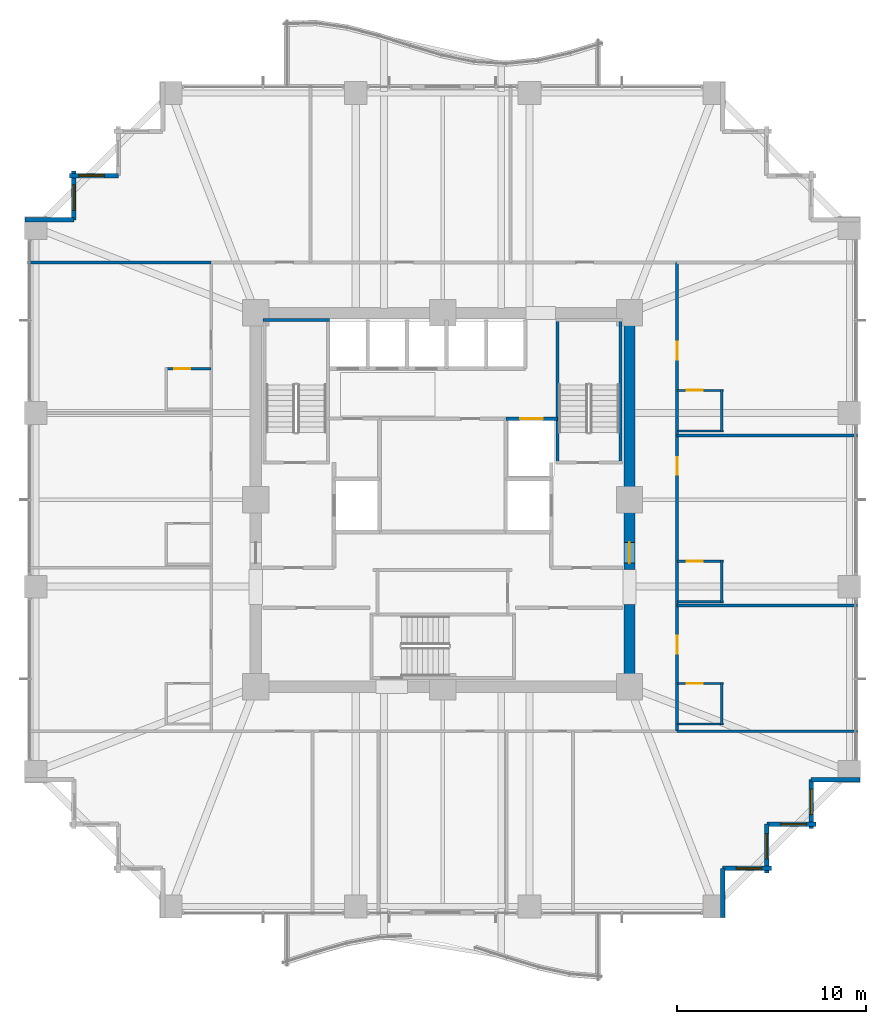
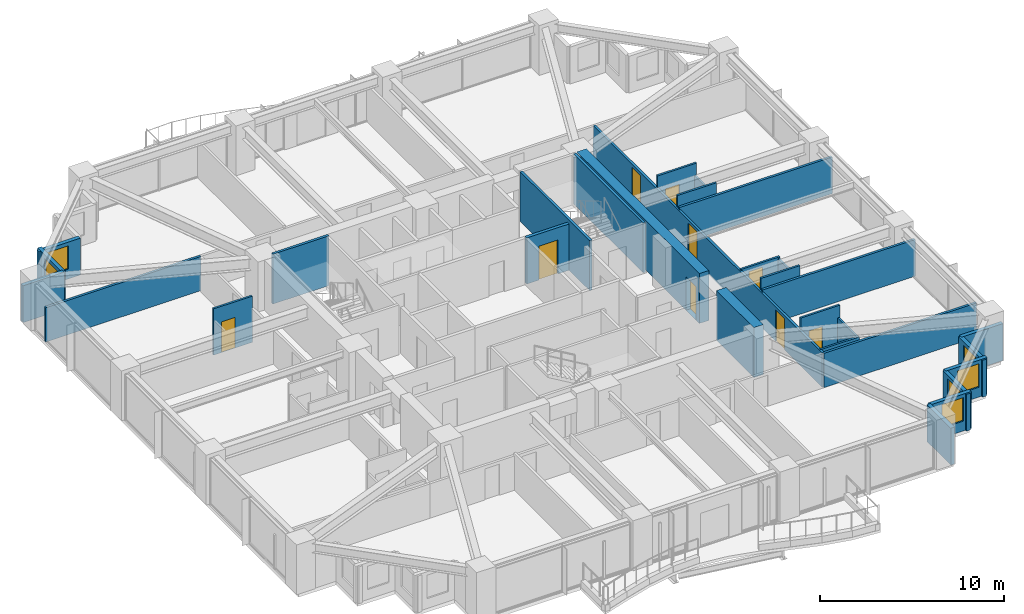
# One storey, part 34 of 38: 30 walls, 9 doors, 6 windows, 15 openings.
"""IFC4 building model written with IfcOpenShell, lengths in metres."""

from ifc_helpers import new_model, si_unit, direction, frame, frame_2d, origin, place, context, subcontext, project, spatial, rectangle, extrude, material, layer, layer_set, type_object, element, fill, save


model = new_model("IFC4")

# Units and contexts
model_context = context("Model", 3, precision=1e-05, world=origin(), true_north=direction((0.0, 1.0)))
body_context = subcontext(model_context, "Body", "Model", "MODEL_VIEW")
ifc_project = project(units=[si_unit("LENGTHUNIT", "METRE"), si_unit("AREAUNIT", "SQUARE_METRE"), si_unit("VOLUMEUNIT", "CUBIC_METRE"), si_unit("PLANEANGLEUNIT", "RADIAN"), si_unit("MASSUNIT", "GRAM", prefix="KILO")], contexts=[model_context])

# Site, building, storey
site_placement = place(None, origin())
site = spatial("IfcSite", under=ifc_project, at=site_placement, CompositionType="ELEMENT")
building_placement = place(site_placement, origin())
building = spatial("IfcBuilding", under=site, at=building_placement, Name="Kolvaren Belvedere", CompositionType="ELEMENT")
storey_placement = place(building_placement, frame((0.0, 0.0, 30.39990234375)))
storey = spatial("IfcBuildingStorey", under=building, at=storey_placement, Name="L08", CompositionType="ELEMENT", Elevation=30.39990234375)

# Wall
ifc_material_1 = material(Name="Concrete C60/75", Category="concrete")
ifc_layer_1 = layer(ifc_material_1, 0.60009765625)
ifc_layer_set_1 = layer_set([ifc_layer_1], Name="Concrete C60/75")
wall_type_1 = type_object("IfcWallType", Name="CW-CORE-600", PredefinedType="SHEAR", material=ifc_layer_set_1)
wall_1_placement = place(storey_placement, frame((9.89990234375, -9.60009765625, 0.0), z_axis=(0.0, 0.0, 1.0), x_axis=(0.0, 1.0, 0.0)))
element("IfcWall", 1, at=wall_1_placement, inside=storey, type_object=wall_type_1, Name="L08 East Core Shear Wall 1", PredefinedType="SHEAR", context=body_context, shape_type="SweptSolid", body=[
    extrude(rectangle(XDim=4.050048828125, YDim=0.60009765625, at=frame_2d((2.02490234375, 0.0))), origin(), (0.0, 0.0, 1.0), 3.300048828125),
])

# Wall, opening, door
wall_2_placement = place(storey_placement, frame((9.89990234375, -3.699951171875, 0.0), z_axis=(0.0, 0.0, 1.0), x_axis=(0.0, 1.0, 0.0)))
wall_2 = element("IfcWall", 2, at=wall_2_placement, inside=storey, type_object=wall_type_1, Name="L08 East Core Shear Wall 2", PredefinedType="SHEAR", context=body_context, shape_type="SweptSolid", body=[
    extrude(rectangle(XDim=13.300048828125, YDim=0.60009765625, at=frame_2d((6.64990234375, 0.0))), origin(), (0.0, 0.0, 1.0), 3.300048828125),
])
opening_1_placement = place(wall_2_placement, frame((0.35009765625, 0.0, 0.0)))
opening_1 = element("IfcOpeningElement", 3, at=opening_1_placement, cuts=wall_2, Name="Opening D-FD90", PredefinedType="OPENING", context=body_context, shape_type="SweptSolid", body=[
    extrude(rectangle(XDim=1.10009765625, YDim=2.199951171875, at=frame_2d((0.550048828125, 1.10009765625))), frame((0.0, 0.31005859375, 0.0), z_axis=(0.0, -1.0, 0.0), x_axis=(1.0, 0.0, 0.0)), (0.0, 0.0, 1.0), 0.6201171875),
])
ifc_material_2 = material(Name="Painted hollow stainless steel", Category="steel")
door_type_1 = type_object("IfcDoorType", Name="DR-FD90-1100", OperationType="NOTDEFINED", PredefinedType="DOOR", material=ifc_material_2)
door_1_placement = place(opening_1_placement, origin())
door_1 = element("IfcDoor", 4, at=door_1_placement, inside=storey, type_object=door_type_1, Name="L08 East Firefighting Lobby Fire Door", OperationType="SINGLE_SWING_RIGHT", OverallHeight=2.199951171875, OverallWidth=1.10009765625, PredefinedType="DOOR", context=body_context, shape_type="SweptSolid", body=[
    extrude(rectangle(XDim=1.10009765625, YDim=2.199951171875, at=frame_2d((0.550048828125, 1.10009765625))), frame((0.0, 0.02490234375, 0.0), z_axis=(0.0, -1.0, 0.0), x_axis=(1.0, 0.0, 0.0)), (0.0, 0.0, 1.0), 0.050048828125),
])
fill(opening_1, door_1)

# Walls
ifc_material_3 = material(Name="Concrete C50/60", Category="concrete")
ifc_layer_2 = layer(ifc_material_3, 0.159912109375)
ifc_layer_set_2 = layer_set([ifc_layer_2], Name="Concrete C50/60")
wall_type_2 = type_object("IfcWallType", Name="CW-STAIR-160", PredefinedType="SHEAR", material=ifc_layer_set_2)
wall_3_placement = place(storey_placement, frame((-9.52001953125, 9.530029296875, 0.0), z_axis=(0.0, 0.0, 1.0), x_axis=(1.0, 0.0, 0.0)))
element("IfcWall", 5, at=wall_3_placement, inside=storey, type_object=wall_type_2, Name="L08 Stair ST-1 North Shear Wall", PredefinedType="SHEAR", context=body_context, shape_type="SweptSolid", body=[
    extrude(rectangle(XDim=3.52001953125, YDim=0.159912109375, at=frame_2d((1.760009765625, 0.0))), origin(), (0.0, 0.0, 1.0), 3.300048828125),
])
for number, where, z_axis, x_axis, name in (
    (6, (6.080078125, 1.969970703125, 0.0), (0.0, 0.0, 1.0), (0.0, 1.0, 0.0), "L08 Stair ST-2 West Shear Wall"),
    (7, (9.429931640625, 1.969970703125, 0.0), (0.0, 0.0, 1.0), (0.0, 1.0, 0.0), "L08 Stair ST-2 East Shear Wall"),
):
    element("IfcWall", number, at=place(storey_placement, frame(where, z_axis=z_axis, x_axis=x_axis)), inside=storey, type_object=wall_type_2, Name=name, PredefinedType="SHEAR", context=body_context, shape_type="SweptSolid", body=[
        extrude(rectangle(XDim=7.56005859375, YDim=0.159912109375, at=frame_2d((3.780029296875, 0.0))), origin(), (0.0, 0.0, 1.0), 3.300048828125),
    ])

# Wall, openings, doors
ifc_material_4 = material(Name="Gypsum fire-rated partition assembly", Category="gypsum")
ifc_layer_3 = layer(ifc_material_4, 0.14990234375)
ifc_layer_set_3 = layer_set([ifc_layer_3], Name="Gypsum fire-rated partition assembly")
wall_type_3 = type_object("IfcWallType", Name="WL-CORR-150", PredefinedType="PARTITIONING", material=ifc_layer_set_3)
wall_4_placement = place(storey_placement, frame((12.419921875, -12.260009765625, 0.0), z_axis=(0.0, 0.0, 1.0), x_axis=(0.0, 1.0, 0.0)))
wall_4 = element("IfcWall", 8, at=wall_4_placement, inside=storey, type_object=wall_type_3, Name="L08 East Corridor Wall", PredefinedType="PARTITIONING", context=body_context, shape_type="SweptSolid", body=[
    extrude(rectangle(XDim=24.840087890625, YDim=0.14990234375, at=frame_2d((12.419921875, 0.0))), origin(), (0.0, 0.0, 1.0), 2.272216796875),
])
opening_2_placement = place(wall_4_placement, frame((4.098876953125, 0.0, 0.0)))
opening_2 = element("IfcOpeningElement", 9, at=opening_2_placement, cuts=wall_4, Name="Opening D-FD60", PredefinedType="OPENING", context=body_context, shape_type="SweptSolid", body=[
    extrude(rectangle(XDim=0.949951171875, YDim=2.06005859375, at=frame_2d((0.47509765625, 1.030029296875))), frame((0.0, 0.0849609375, 0.0), z_axis=(0.0, -1.0, 0.0), x_axis=(1.0, 0.0, 0.0)), (0.0, 0.0, 1.0), 0.169921875),
])
opening_3_placement = place(wall_4_placement, frame((13.576904296875, 0.0, 0.0)))
opening_3 = element("IfcOpeningElement", 10, at=opening_3_placement, cuts=wall_4, Name="Opening D-FD60", PredefinedType="OPENING", context=body_context, shape_type="SweptSolid", body=[
    extrude(rectangle(XDim=0.949951171875, YDim=2.06005859375, at=frame_2d((0.47509765625, 1.030029296875))), frame((0.0, 0.0849609375, 0.0), z_axis=(0.0, -1.0, 0.0), x_axis=(1.0, 0.0, 0.0)), (0.0, 0.0, 1.0), 0.169921875),
])
opening_4_placement = place(wall_4_placement, frame((19.69189453125, 0.0, 0.0)))
opening_4 = element("IfcOpeningElement", 11, at=opening_4_placement, cuts=wall_4, Name="Opening D-FD60", PredefinedType="OPENING", context=body_context, shape_type="SweptSolid", body=[
    extrude(rectangle(XDim=0.949951171875, YDim=2.06005859375, at=frame_2d((0.47509765625, 1.030029296875))), frame((0.0, 0.0849609375, 0.0), z_axis=(0.0, -1.0, 0.0), x_axis=(1.0, 0.0, 0.0)), (0.0, 0.0, 1.0), 0.169921875),
])
ifc_material_5 = material(Name="Acoustic white-oak fire door leaf", Category="timber")
door_type_2 = type_object("IfcDoorType", Name="DR-FD60-950", OperationType="NOTDEFINED", PredefinedType="DOOR", material=ifc_material_5)
door_2_placement = place(opening_2_placement, origin())
door_2 = element("IfcDoor", 12, at=door_2_placement, inside=storey, type_object=door_type_2, Name="L08 Panoramic Corner Hospitality Suite 806 Entry Door", OperationType="SINGLE_SWING_LEFT", OverallHeight=2.06005859375, OverallWidth=0.949951171875, PredefinedType="DOOR", context=body_context, shape_type="SweptSolid", body=[
    extrude(rectangle(XDim=0.949951171875, YDim=2.06005859375, at=frame_2d((0.47509765625, 1.030029296875))), frame((0.0, 0.02490234375, 0.0), z_axis=(0.0, -1.0, 0.0), x_axis=(1.0, 0.0, 0.0)), (0.0, 0.0, 1.0), 0.050048828125),
])
fill(opening_2, door_2)
door_3_placement = place(opening_3_placement, origin())
door_3 = element("IfcDoor", 13, at=door_3_placement, inside=storey, type_object=door_type_2, Name="L08 Panoramic Corner Hospitality Suite 807 Entry Door", OperationType="SINGLE_SWING_LEFT", OverallHeight=2.06005859375, OverallWidth=0.949951171875, PredefinedType="DOOR", context=body_context, shape_type="SweptSolid", body=[
    extrude(rectangle(XDim=0.949951171875, YDim=2.06005859375, at=frame_2d((0.47509765625, 1.030029296875))), frame((0.0, 0.02490234375, 0.0), z_axis=(0.0, -1.0, 0.0), x_axis=(1.0, 0.0, 0.0)), (0.0, 0.0, 1.0), 0.050048828125),
])
fill(opening_3, door_3)
door_4_placement = place(opening_4_placement, origin())
door_4 = element("IfcDoor", 14, at=door_4_placement, inside=storey, type_object=door_type_2, Name="L08 Panoramic Corner Hospitality Suite 808 Entry Door", OperationType="SINGLE_SWING_LEFT", OverallHeight=2.06005859375, OverallWidth=0.949951171875, PredefinedType="DOOR", context=body_context, shape_type="SweptSolid", body=[
    extrude(rectangle(XDim=0.949951171875, YDim=2.06005859375, at=frame_2d((0.47509765625, 1.030029296875))), frame((0.0, 0.02490234375, 0.0), z_axis=(0.0, -1.0, 0.0), x_axis=(1.0, 0.0, 0.0)), (0.0, 0.0, 1.0), 0.050048828125),
])
fill(opening_4, door_4)

# Wall
ifc_material_6 = material(Name="Insulated pale-metal facade wall assembly", Category="aluminium")
ifc_layer_4 = layer(ifc_material_6, 0.239990234375)
ifc_layer_set_4 = layer_set([ifc_layer_4], Name="Insulated pale-metal facade wall assembly")
wall_type_4 = type_object("IfcWallType", Name="WL-EXT-240", PredefinedType="STANDARD", material=ifc_layer_set_4)
wall_5_placement = place(storey_placement, frame((14.830078125, -19.530029296875, 0.0), z_axis=(0.0, 0.0, 1.0), x_axis=(0.0, -1.0, 0.0)))
element("IfcWall", 15, at=wall_5_placement, inside=storey, type_object=wall_type_4, Name="L08 Serrated Corner Facade Wall 2", PredefinedType="STANDARD", context=body_context, shape_type="SweptSolid", body=[
    extrude(rectangle(XDim=2.590087890625, YDim=0.239990234375, at=frame_2d((1.294921875, 0.0))), origin(), (0.0, 0.0, 1.0), 2.439208984375),
])

# Wall, opening, window
wall_6_placement = place(storey_placement, frame((17.419921875, -19.530029296875, 0.0), z_axis=(0.0, 0.0, 1.0), x_axis=(-1.0, 0.0, 0.0)))
wall_6 = element("IfcWall", 16, at=wall_6_placement, inside=storey, type_object=wall_type_4, Name="L08 Serrated Corner Facade Wall 3", PredefinedType="STANDARD", context=body_context, shape_type="SweptSolid", body=[
    extrude(rectangle(XDim=2.58984375, YDim=0.239990234375, at=frame_2d((1.294921875, 0.0))), origin(), (0.0, 0.0, 1.0), 2.439208984375),
])
opening_5_placement = place(wall_6_placement, frame((0.5, 0.0, 0.64990234375)))
opening_5 = element("IfcOpeningElement", 17, at=opening_5_placement, cuts=wall_6, Name="Opening W-1350", PredefinedType="OPENING", context=body_context, shape_type="SweptSolid", body=[
    extrude(rectangle(XDim=1.35009765625, YDim=1.550048828125, at=frame_2d((0.675048828125, 0.77490234375))), frame((0.0, 0.1298828125, 0.0), z_axis=(0.0, -1.0, 0.0), x_axis=(1.0, 0.0, 0.0)), (0.0, 0.0, 1.0), 0.260009765625),
])
ifc_material_7 = material(Name="Low-iron triple insulated glass", Category="glass")
window_type = type_object("IfcWindowType", Name="WN-CORN-1350", PartitioningType="SINGLE_PANEL", PredefinedType="WINDOW", material=ifc_material_7)
window_1_placement = place(opening_5_placement, origin())
window_1 = element("IfcWindow", 18, at=window_1_placement, inside=storey, type_object=window_type, Name="L08 Serrated Corner Vision Window 3", OverallHeight=1.550048828125, OverallWidth=1.35009765625, PartitioningType="SINGLE_PANEL", PredefinedType="WINDOW", context=body_context, shape_type="SweptSolid", body=[
    extrude(rectangle(XDim=1.35009765625, YDim=1.550048828125, at=frame_2d((0.675048828125, 0.77490234375))), frame((0.0, 0.030029296875, 0.0), z_axis=(0.0, -1.0, 0.0), x_axis=(1.0, 0.0, 0.0)), (0.0, 0.0, 1.0), 0.06005859375),
])
fill(opening_5, window_1)

wall_7_placement = place(storey_placement, frame((17.179931640625, -17.179931640625, 0.0), z_axis=(0.0, 0.0, 1.0), x_axis=(0.0, -1.0, 0.0)))
wall_7 = element("IfcWall", 19, at=wall_7_placement, inside=storey, type_object=wall_type_4, Name="L08 Serrated Corner Facade Wall 4", PredefinedType="STANDARD", context=body_context, shape_type="SweptSolid", body=[
    extrude(rectangle(XDim=2.590087890625, YDim=0.239990234375, at=frame_2d((1.294921875, 0.0))), origin(), (0.0, 0.0, 1.0), 2.439208984375),
])
opening_6_placement = place(wall_7_placement, frame((0.5, 0.0, 0.64990234375)))
opening_6 = element("IfcOpeningElement", 20, at=opening_6_placement, cuts=wall_7, Name="Opening W-1350", PredefinedType="OPENING", context=body_context, shape_type="SweptSolid", body=[
    extrude(rectangle(XDim=1.35009765625, YDim=1.550048828125, at=frame_2d((0.675048828125, 0.77490234375))), frame((0.0, 0.1298828125, 0.0), z_axis=(0.0, -1.0, 0.0), x_axis=(1.0, 0.0, 0.0)), (0.0, 0.0, 1.0), 0.260009765625),
])
window_2_placement = place(opening_6_placement, origin())
window_2 = element("IfcWindow", 21, at=window_2_placement, inside=storey, type_object=window_type, Name="L08 Serrated Corner Vision Window 4", OverallHeight=1.550048828125, OverallWidth=1.35009765625, PartitioningType="SINGLE_PANEL", PredefinedType="WINDOW", context=body_context, shape_type="SweptSolid", body=[
    extrude(rectangle(XDim=1.35009765625, YDim=1.550048828125, at=frame_2d((0.675048828125, 0.77490234375))), frame((0.0, 0.030029296875, 0.0), z_axis=(0.0, -1.0, 0.0), x_axis=(1.0, 0.0, 0.0)), (0.0, 0.0, 1.0), 0.06005859375),
])
fill(opening_6, window_2)

wall_8_placement = place(storey_placement, frame((19.77001953125, -17.179931640625, 0.0), z_axis=(0.0, 0.0, 1.0), x_axis=(-1.0, 0.0, 0.0)))
wall_8 = element("IfcWall", 22, at=wall_8_placement, inside=storey, type_object=wall_type_4, Name="L08 Serrated Corner Facade Wall 5", PredefinedType="STANDARD", context=body_context, shape_type="SweptSolid", body=[
    extrude(rectangle(XDim=2.590087890625, YDim=0.239990234375, at=frame_2d((1.294921875, 0.0))), origin(), (0.0, 0.0, 1.0), 2.439208984375),
])
opening_7_placement = place(wall_8_placement, frame((0.5, 0.0, 0.64990234375)))
opening_7 = element("IfcOpeningElement", 23, at=opening_7_placement, cuts=wall_8, Name="Opening W-1350", PredefinedType="OPENING", context=body_context, shape_type="SweptSolid", body=[
    extrude(rectangle(XDim=1.35009765625, YDim=1.550048828125, at=frame_2d((0.675048828125, 0.77490234375))), frame((0.0, 0.1298828125, 0.0), z_axis=(0.0, -1.0, 0.0), x_axis=(1.0, 0.0, 0.0)), (0.0, 0.0, 1.0), 0.260009765625),
])
window_3_placement = place(opening_7_placement, origin())
window_3 = element("IfcWindow", 24, at=window_3_placement, inside=storey, type_object=window_type, Name="L08 Serrated Corner Vision Window 5", OverallHeight=1.550048828125, OverallWidth=1.35009765625, PartitioningType="SINGLE_PANEL", PredefinedType="WINDOW", context=body_context, shape_type="SweptSolid", body=[
    extrude(rectangle(XDim=1.35009765625, YDim=1.550048828125, at=frame_2d((0.675048828125, 0.77490234375))), frame((0.0, 0.030029296875, 0.0), z_axis=(0.0, -1.0, 0.0), x_axis=(1.0, 0.0, 0.0)), (0.0, 0.0, 1.0), 0.06005859375),
])
fill(opening_7, window_3)

wall_9_placement = place(storey_placement, frame((19.530029296875, -14.830078125, 0.0), z_axis=(0.0, 0.0, 1.0), x_axis=(0.0, -1.0, 0.0)))
wall_9 = element("IfcWall", 25, at=wall_9_placement, inside=storey, type_object=wall_type_4, Name="L08 Serrated Corner Facade Wall 6", PredefinedType="STANDARD", context=body_context, shape_type="SweptSolid", body=[
    extrude(rectangle(XDim=2.58984375, YDim=0.239990234375, at=frame_2d((1.294921875, 0.0))), origin(), (0.0, 0.0, 1.0), 2.439208984375),
])
opening_8_placement = place(wall_9_placement, frame((0.5, 0.0, 0.64990234375)))
opening_8 = element("IfcOpeningElement", 26, at=opening_8_placement, cuts=wall_9, Name="Opening W-1350", PredefinedType="OPENING", context=body_context, shape_type="SweptSolid", body=[
    extrude(rectangle(XDim=1.35009765625, YDim=1.550048828125, at=frame_2d((0.675048828125, 0.77490234375))), frame((0.0, 0.1298828125, 0.0), z_axis=(0.0, -1.0, 0.0), x_axis=(1.0, 0.0, 0.0)), (0.0, 0.0, 1.0), 0.260009765625),
])
window_4_placement = place(opening_8_placement, origin())
window_4 = element("IfcWindow", 27, at=window_4_placement, inside=storey, type_object=window_type, Name="L08 Serrated Corner Vision Window 6", OverallHeight=1.550048828125, OverallWidth=1.35009765625, PartitioningType="SINGLE_PANEL", PredefinedType="WINDOW", context=body_context, shape_type="SweptSolid", body=[
    extrude(rectangle(XDim=1.35009765625, YDim=1.550048828125, at=frame_2d((0.675048828125, 0.77490234375))), frame((0.0, 0.030029296875, 0.0), z_axis=(0.0, -1.0, 0.0), x_axis=(1.0, 0.0, 0.0)), (0.0, 0.0, 1.0), 0.06005859375),
])
fill(opening_8, window_4)

# Wall
wall_10_placement = place(storey_placement, frame((22.1201171875, -14.830078125, 0.0), z_axis=(0.0, 0.0, 1.0), x_axis=(-1.0, 0.0, 0.0)))
element("IfcWall", 28, at=wall_10_placement, inside=storey, type_object=wall_type_4, Name="L08 Serrated Corner Facade Wall 7", PredefinedType="STANDARD", context=body_context, shape_type="SweptSolid", body=[
    extrude(rectangle(XDim=2.590087890625, YDim=0.239990234375, at=frame_2d((1.294921875, 0.0))), origin(), (0.0, 0.0, 1.0), 2.439208984375),
])

# Wall, opening, window
wall_11_placement = place(storey_placement, frame((-19.77001953125, 17.179931640625, 0.0), z_axis=(0.0, 0.0, 1.0), x_axis=(1.0, 0.0, 0.0)))
wall_11 = element("IfcWall", 29, at=wall_11_placement, inside=storey, type_object=wall_type_4, Name="L08 Serrated Corner Facade Wall 19", PredefinedType="STANDARD", context=body_context, shape_type="SweptSolid", body=[
    extrude(rectangle(XDim=2.590087890625, YDim=0.239990234375, at=frame_2d((1.294921875, 0.0))), origin(), (0.0, 0.0, 1.0), 2.439208984375),
])
opening_9_placement = place(wall_11_placement, frame((0.5, 0.0, 0.64990234375)))
opening_9 = element("IfcOpeningElement", 30, at=opening_9_placement, cuts=wall_11, Name="Opening W-1350", PredefinedType="OPENING", context=body_context, shape_type="SweptSolid", body=[
    extrude(rectangle(XDim=1.35009765625, YDim=1.550048828125, at=frame_2d((0.675048828125, 0.77490234375))), frame((0.0, 0.1298828125, 0.0), z_axis=(0.0, -1.0, 0.0), x_axis=(1.0, 0.0, 0.0)), (0.0, 0.0, 1.0), 0.260009765625),
])
window_5_placement = place(opening_9_placement, origin())
window_5 = element("IfcWindow", 31, at=window_5_placement, inside=storey, type_object=window_type, Name="L08 Serrated Corner Vision Window 19", OverallHeight=1.550048828125, OverallWidth=1.35009765625, PartitioningType="SINGLE_PANEL", PredefinedType="WINDOW", context=body_context, shape_type="SweptSolid", body=[
    extrude(rectangle(XDim=1.35009765625, YDim=1.550048828125, at=frame_2d((0.675048828125, 0.77490234375))), frame((0.0, 0.030029296875, 0.0), z_axis=(0.0, -1.0, 0.0), x_axis=(1.0, 0.0, 0.0)), (0.0, 0.0, 1.0), 0.06005859375),
])
fill(opening_9, window_5)

wall_12_placement = place(storey_placement, frame((-19.530029296875, 14.830078125, 0.0), z_axis=(0.0, 0.0, 1.0), x_axis=(0.0, 1.0, 0.0)))
wall_12 = element("IfcWall", 32, at=wall_12_placement, inside=storey, type_object=wall_type_4, Name="L08 Serrated Corner Facade Wall 20", PredefinedType="STANDARD", context=body_context, shape_type="SweptSolid", body=[
    extrude(rectangle(XDim=2.58984375, YDim=0.239990234375, at=frame_2d((1.294921875, 0.0))), origin(), (0.0, 0.0, 1.0), 2.439208984375),
])
opening_10_placement = place(wall_12_placement, frame((0.5, 0.0, 0.64990234375)))
opening_10 = element("IfcOpeningElement", 33, at=opening_10_placement, cuts=wall_12, Name="Opening W-1350", PredefinedType="OPENING", context=body_context, shape_type="SweptSolid", body=[
    extrude(rectangle(XDim=1.35009765625, YDim=1.550048828125, at=frame_2d((0.675048828125, 0.77490234375))), frame((0.0, 0.1298828125, 0.0), z_axis=(0.0, -1.0, 0.0), x_axis=(1.0, 0.0, 0.0)), (0.0, 0.0, 1.0), 0.260009765625),
])
window_6_placement = place(opening_10_placement, origin())
window_6 = element("IfcWindow", 34, at=window_6_placement, inside=storey, type_object=window_type, Name="L08 Serrated Corner Vision Window 20", OverallHeight=1.550048828125, OverallWidth=1.35009765625, PartitioningType="SINGLE_PANEL", PredefinedType="WINDOW", context=body_context, shape_type="SweptSolid", body=[
    extrude(rectangle(XDim=1.35009765625, YDim=1.550048828125, at=frame_2d((0.675048828125, 0.77490234375))), frame((0.0, 0.030029296875, 0.0), z_axis=(0.0, -1.0, 0.0), x_axis=(1.0, 0.0, 0.0)), (0.0, 0.0, 1.0), 0.06005859375),
])
fill(opening_10, window_6)

# Walls
wall_13_placement = place(storey_placement, frame((-22.1201171875, 14.830078125, 0.0), z_axis=(0.0, 0.0, 1.0), x_axis=(1.0, 0.0, 0.0)))
element("IfcWall", 35, at=wall_13_placement, inside=storey, type_object=wall_type_4, Name="L08 Serrated Corner Facade Wall 21", PredefinedType="STANDARD", context=body_context, shape_type="SweptSolid", body=[
    extrude(rectangle(XDim=2.590087890625, YDim=0.239990234375, at=frame_2d((1.294921875, 0.0))), origin(), (0.0, 0.0, 1.0), 2.439208984375),
])
ifc_material_8 = material(Name="Gypsum acoustic partition assembly", Category="gypsum")
ifc_layer_5 = layer(ifc_material_8, 0.14990234375)
ifc_layer_set_5 = layer_set([ifc_layer_5], Name="Gypsum acoustic partition assembly")
wall_type_5 = type_object("IfcWallType", Name="WL-PART-150", PredefinedType="PARTITIONING", material=ifc_layer_set_5)
wall_14_placement = place(storey_placement, frame((12.419921875, -12.260009765625, 0.0), z_axis=(0.0, 0.0, 1.0), x_axis=(1.0, 0.0, 0.0)))
element("IfcWall", 36, at=wall_14_placement, inside=storey, type_object=wall_type_5, Name="L08 Wing Divider PW-L08-QSE", PredefinedType="PARTITIONING", context=body_context, shape_type="SweptSolid", body=[
    extrude(rectangle(XDim=9.56005859375, YDim=0.14990234375, at=frame_2d((4.780029296875, 0.0))), origin(), (0.0, 0.0, 1.0), 2.272216796875),
])
wall_15_placement = place(storey_placement, frame((-21.97998046875, 12.580078125, 0.0), z_axis=(0.0, 0.0, 1.0), x_axis=(1.0, 0.0, 0.0)))
element("IfcWall", 37, at=wall_15_placement, inside=storey, type_object=wall_type_5, Name="L08 Wing Divider PW-L08-QNW", PredefinedType="PARTITIONING", context=body_context, shape_type="SweptSolid", body=[
    extrude(rectangle(XDim=9.719970703125, YDim=0.14990234375, at=frame_2d((4.85986328125, 0.0))), origin(), (0.0, 0.0, 1.0), 2.272216796875),
])
for number, where, z_axis, x_axis, name in (
    (38, (12.419921875, -5.60009765625, 0.0), (0.0, 0.0, 1.0), (1.0, 0.0, 0.0), "L08 East Suite Demising Wall 1"),
    (39, (12.419921875, 3.39990234375, 0.0), (0.0, 0.0, 1.0), (1.0, 0.0, 0.0), "L08 East Suite Demising Wall 2"),
):
    element("IfcWall", number, at=place(storey_placement, frame(where, z_axis=z_axis, x_axis=x_axis)), inside=storey, type_object=wall_type_5, Name=name, PredefinedType="PARTITIONING", context=body_context, shape_type="SweptSolid", body=[
        extrude(rectangle(XDim=9.56005859375, YDim=0.14990234375, at=frame_2d((4.780029296875, 0.0))), origin(), (0.0, 0.0, 1.0), 2.42919921875),
    ])

# Wall, opening, door
ifc_material_9 = material(Name="Concrete C50/60", Category="concrete")
ifc_layer_6 = layer(ifc_material_9, 0.199951171875)
ifc_layer_set_6 = layer_set([ifc_layer_6], Name="Concrete C50/60")
wall_type_6 = type_object("IfcWallType", Name="WL-SHAFT-200", PredefinedType="SOLIDWALL", material=ifc_layer_set_6)
wall_16_placement = place(storey_placement, frame((3.35009765625, 4.300048828125, 0.0), z_axis=(0.0, 0.0, 1.0), x_axis=(1.0, 0.0, 0.0)))
wall_16 = element("IfcWall", 40, at=wall_16_placement, inside=storey, type_object=wall_type_6, Name="L08 Service Lift SV1 Front Wall", PredefinedType="SOLIDWALL", context=body_context, shape_type="SweptSolid", body=[
    extrude(rectangle(XDim=2.72998046875, YDim=0.199951171875, at=frame_2d((1.364990234375, 0.0))), origin(), (0.0, 0.0, 1.0), 3.06005859375),
])
opening_11_placement = place(wall_16_placement, frame((0.75, 0.0, 0.0)))
opening_11 = element("IfcOpeningElement", 41, at=opening_11_placement, cuts=wall_16, Name="Opening LD-12", PredefinedType="OPENING", context=body_context, shape_type="SweptSolid", body=[
    extrude(rectangle(XDim=1.199951171875, YDim=2.25, at=frame_2d((0.60009765625, 1.125))), frame((0.0, 0.10986328125, 0.0), z_axis=(0.0, -1.0, 0.0), x_axis=(1.0, 0.0, 0.0)), (0.0, 0.0, 1.0), 0.219970703125),
])
ifc_material_10 = material(Name="Brushed stainless steel", Category="steel")
door_type_3 = type_object("IfcDoorType", Name="DR-LIFT-1200", OperationType="DOUBLE_DOOR_SLIDING", PredefinedType="DOOR", material=ifc_material_10)
door_5_placement = place(opening_11_placement, origin())
door_5 = element("IfcDoor", 42, at=door_5_placement, inside=storey, type_object=door_type_3, Name="L08 Service Lift SV1 Landing Door", OperationType="DOUBLE_DOOR_SLIDING", OverallHeight=2.25, OverallWidth=1.199951171875, PredefinedType="DOOR", context=body_context, shape_type="SweptSolid", body=[
    extrude(rectangle(XDim=1.199951171875, YDim=2.25, at=frame_2d((0.60009765625, 1.125))), frame((0.0, 0.02490234375, 0.0), z_axis=(0.0, -1.0, 0.0), x_axis=(1.0, 0.0, 0.0)), (0.0, 0.0, 1.0), 0.050048828125),
])
fill(opening_11, door_5)

ifc_material_11 = material(Name="Moisture-resistant gypsum partition", Category="gypsum")
ifc_layer_7 = layer(ifc_material_11, 0.125)
ifc_layer_set_7 = layer_set([ifc_layer_7], Name="Moisture-resistant gypsum partition")
wall_type_7 = type_object("IfcWallType", Name="WL-WET-125", PredefinedType="PARTITIONING", material=ifc_layer_set_7)
wall_17_placement = place(storey_placement, frame((12.43505859375, -9.73095703125, 0.0), z_axis=(0.0, 0.0, 1.0), x_axis=(1.0, 0.0, 0.0)))
wall_17 = element("IfcWall", 43, at=wall_17_placement, inside=storey, type_object=wall_type_7, Name="L08 Bathroom Partition PW-L08-BTH-6-N", PredefinedType="PARTITIONING", context=body_context, shape_type="SweptSolid", body=[
    extrude(rectangle(XDim=2.43994140625, YDim=0.125, at=frame_2d((1.219970703125, 0.0))), origin(), (0.0, 0.0, 1.0), 3.06005859375),
])
opening_12_placement = place(wall_17_placement, frame((0.5, 0.0, 0.0)))
opening_12 = element("IfcOpeningElement", 44, at=opening_12_placement, cuts=wall_17, Name="Opening D-BTH85", PredefinedType="OPENING", context=body_context, shape_type="SweptSolid", body=[
    extrude(rectangle(XDim=0.85009765625, YDim=2.030029296875, at=frame_2d((0.425048828125, 1.01513671875))), frame((0.0, 0.072509765625, 0.0), z_axis=(0.0, -1.0, 0.0), x_axis=(1.0, 0.0, 0.0)), (0.0, 0.0, 1.0), 0.14501953125),
])
ifc_material_12 = material(Name="Moisture-sealed Pacific white oak", Category="timber")
door_type_4 = type_object("IfcDoorType", Name="DR-BATH-850", OperationType="NOTDEFINED", PredefinedType="DOOR", material=ifc_material_12)
door_6_placement = place(opening_12_placement, origin())
door_6 = element("IfcDoor", 45, at=door_6_placement, inside=storey, type_object=door_type_4, Name="L08 En-Suite Bathroom 806 Door", OperationType="SINGLE_SWING_RIGHT", OverallHeight=2.030029296875, OverallWidth=0.85009765625, PredefinedType="DOOR", context=body_context, shape_type="SweptSolid", body=[
    extrude(rectangle(XDim=0.85009765625, YDim=2.030029296875, at=frame_2d((0.425048828125, 1.01513671875))), frame((0.0, 0.02490234375, 0.0), z_axis=(0.0, -1.0, 0.0), x_axis=(1.0, 0.0, 0.0)), (0.0, 0.0, 1.0), 0.050048828125),
])
fill(opening_12, door_6)

# Walls
wall_18_placement = place(storey_placement, frame((14.794921875, -11.94091796875, 0.0), z_axis=(0.0, 0.0, 1.0), x_axis=(0.0, 1.0, 0.0)))
element("IfcWall", 46, at=wall_18_placement, inside=storey, type_object=wall_type_7, Name="L08 Bathroom Partition PW-L08-BTH-6-V", PredefinedType="PARTITIONING", context=body_context, shape_type="SweptSolid", body=[
    extrude(rectangle(XDim=2.27001953125, YDim=0.125, at=frame_2d((1.135009765625, 0.0))), origin(), (0.0, 0.0, 1.0), 2.272216796875),
])
wall_19_placement = place(storey_placement, frame((12.43505859375, -11.881103515625, 0.0), z_axis=(0.0, 0.0, 1.0), x_axis=(1.0, 0.0, 0.0)))
element("IfcWall", 47, at=wall_19_placement, inside=storey, type_object=wall_type_7, Name="L08 Bathroom Partition PW-L08-BTH-6-S", PredefinedType="PARTITIONING", context=body_context, shape_type="SweptSolid", body=[
    extrude(rectangle(XDim=2.43994140625, YDim=0.125, at=frame_2d((1.219970703125, 0.0))), origin(), (0.0, 0.0, 1.0), 2.272216796875),
])

# Wall, opening, door
wall_20_placement = place(storey_placement, frame((12.43505859375, -3.2548828125, 0.0), z_axis=(0.0, 0.0, 1.0), x_axis=(1.0, 0.0, 0.0)))
wall_20 = element("IfcWall", 48, at=wall_20_placement, inside=storey, type_object=wall_type_7, Name="L08 Bathroom Partition PW-L08-BTH-7-N", PredefinedType="PARTITIONING", context=body_context, shape_type="SweptSolid", body=[
    extrude(rectangle(XDim=2.43994140625, YDim=0.125, at=frame_2d((1.219970703125, 0.0))), origin(), (0.0, 0.0, 1.0), 2.34912109375),
])
opening_13_placement = place(wall_20_placement, frame((0.5, 0.0, 0.0)))
opening_13 = element("IfcOpeningElement", 49, at=opening_13_placement, cuts=wall_20, Name="Opening D-BTH85", PredefinedType="OPENING", context=body_context, shape_type="SweptSolid", body=[
    extrude(rectangle(XDim=0.85009765625, YDim=2.030029296875, at=frame_2d((0.425048828125, 1.01513671875))), frame((0.0, 0.072509765625, 0.0), z_axis=(0.0, -1.0, 0.0), x_axis=(1.0, 0.0, 0.0)), (0.0, 0.0, 1.0), 0.14501953125),
])
door_7_placement = place(opening_13_placement, origin())
door_7 = element("IfcDoor", 50, at=door_7_placement, inside=storey, type_object=door_type_4, Name="L08 En-Suite Bathroom 807 Door", OperationType="SINGLE_SWING_RIGHT", OverallHeight=2.030029296875, OverallWidth=0.85009765625, PredefinedType="DOOR", context=body_context, shape_type="SweptSolid", body=[
    extrude(rectangle(XDim=0.85009765625, YDim=2.030029296875, at=frame_2d((0.425048828125, 1.01513671875))), frame((0.0, 0.02490234375, 0.0), z_axis=(0.0, -1.0, 0.0), x_axis=(1.0, 0.0, 0.0)), (0.0, 0.0, 1.0), 0.050048828125),
])
fill(opening_13, door_7)

# Walls
wall_21_placement = place(storey_placement, frame((14.794921875, -5.465087890625, 0.0), z_axis=(0.0, 0.0, 1.0), x_axis=(0.0, 1.0, 0.0)))
element("IfcWall", 51, at=wall_21_placement, inside=storey, type_object=wall_type_7, Name="L08 Bathroom Partition PW-L08-BTH-7-V", PredefinedType="PARTITIONING", context=body_context, shape_type="SweptSolid", body=[
    extrude(rectangle(XDim=2.27001953125, YDim=0.125, at=frame_2d((1.135009765625, 0.0))), origin(), (0.0, 0.0, 1.0), 2.272216796875),
])
wall_22_placement = place(storey_placement, frame((12.43505859375, -5.405029296875, 0.0), z_axis=(0.0, 0.0, 1.0), x_axis=(1.0, 0.0, 0.0)))
element("IfcWall", 52, at=wall_22_placement, inside=storey, type_object=wall_type_7, Name="L08 Bathroom Partition PW-L08-BTH-7-S", PredefinedType="PARTITIONING", context=body_context, shape_type="SweptSolid", body=[
    extrude(rectangle(XDim=2.43994140625, YDim=0.125, at=frame_2d((1.219970703125, 0.0))), origin(), (0.0, 0.0, 1.0), 3.06005859375),
])

# Wall, opening, door
wall_23_placement = place(storey_placement, frame((12.43505859375, 5.7939453125, 0.0), z_axis=(0.0, 0.0, 1.0), x_axis=(1.0, 0.0, 0.0)))
wall_23 = element("IfcWall", 53, at=wall_23_placement, inside=storey, type_object=wall_type_7, Name="L08 Bathroom Partition PW-L08-BTH-8-N", PredefinedType="PARTITIONING", context=body_context, shape_type="SweptSolid", body=[
    extrude(rectangle(XDim=2.43994140625, YDim=0.125, at=frame_2d((1.219970703125, 0.0))), origin(), (0.0, 0.0, 1.0), 3.06005859375),
])
opening_14_placement = place(wall_23_placement, frame((0.5, 0.0, 0.0)))
opening_14 = element("IfcOpeningElement", 54, at=opening_14_placement, cuts=wall_23, Name="Opening D-BTH85", PredefinedType="OPENING", context=body_context, shape_type="SweptSolid", body=[
    extrude(rectangle(XDim=0.85009765625, YDim=2.030029296875, at=frame_2d((0.425048828125, 1.01513671875))), frame((0.0, 0.072509765625, 0.0), z_axis=(0.0, -1.0, 0.0), x_axis=(1.0, 0.0, 0.0)), (0.0, 0.0, 1.0), 0.14501953125),
])
door_8_placement = place(opening_14_placement, origin())
door_8 = element("IfcDoor", 55, at=door_8_placement, inside=storey, type_object=door_type_4, Name="L08 En-Suite Bathroom 808 Door", OperationType="SINGLE_SWING_RIGHT", OverallHeight=2.030029296875, OverallWidth=0.85009765625, PredefinedType="DOOR", context=body_context, shape_type="SweptSolid", body=[
    extrude(rectangle(XDim=0.85009765625, YDim=2.030029296875, at=frame_2d((0.425048828125, 1.01513671875))), frame((0.0, 0.02490234375, 0.0), z_axis=(0.0, -1.0, 0.0), x_axis=(1.0, 0.0, 0.0)), (0.0, 0.0, 1.0), 0.050048828125),
])
fill(opening_14, door_8)

# Walls
wall_24_placement = place(storey_placement, frame((14.794921875, 3.583984375, 0.0), z_axis=(0.0, 0.0, 1.0), x_axis=(0.0, 1.0, 0.0)))
element("IfcWall", 56, at=wall_24_placement, inside=storey, type_object=wall_type_7, Name="L08 Bathroom Partition PW-L08-BTH-8-V", PredefinedType="PARTITIONING", context=body_context, shape_type="SweptSolid", body=[
    extrude(rectangle(XDim=2.27001953125, YDim=0.125, at=frame_2d((1.135009765625, 0.0))), origin(), (0.0, 0.0, 1.0), 2.272216796875),
])
wall_25_placement = place(storey_placement, frame((12.43505859375, 3.64404296875, 0.0), z_axis=(0.0, 0.0, 1.0), x_axis=(1.0, 0.0, 0.0)))
element("IfcWall", 57, at=wall_25_placement, inside=storey, type_object=wall_type_7, Name="L08 Bathroom Partition PW-L08-BTH-8-S", PredefinedType="PARTITIONING", context=body_context, shape_type="SweptSolid", body=[
    extrude(rectangle(XDim=2.43994140625, YDim=0.125, at=frame_2d((1.219970703125, 0.0))), origin(), (0.0, 0.0, 1.0), 3.06005859375),
])

# Wall, opening, door
wall_26_placement = place(storey_placement, frame((-14.715087890625, 6.945068359375, 0.0), z_axis=(0.0, 0.0, 1.0), x_axis=(1.0, 0.0, 0.0)))
wall_26 = element("IfcWall", 58, at=wall_26_placement, inside=storey, type_object=wall_type_7, Name="L08 Bathroom Partition PW-L08-BTH-11-N", PredefinedType="PARTITIONING", context=body_context, shape_type="SweptSolid", body=[
    extrude(rectangle(XDim=2.440185546875, YDim=0.125, at=frame_2d((1.22021484375, 0.0))), origin(), (0.0, 0.0, 1.0), 3.06005859375),
])
opening_15_placement = place(wall_26_placement, frame((0.5, 0.0, 0.0)))
opening_15 = element("IfcOpeningElement", 59, at=opening_15_placement, cuts=wall_26, Name="Opening D-BTH85", PredefinedType="OPENING", context=body_context, shape_type="SweptSolid", body=[
    extrude(rectangle(XDim=0.85009765625, YDim=2.030029296875, at=frame_2d((0.425048828125, 1.01513671875))), frame((0.0, 0.072509765625, 0.0), z_axis=(0.0, -1.0, 0.0), x_axis=(1.0, 0.0, 0.0)), (0.0, 0.0, 1.0), 0.14501953125),
])
door_9_placement = place(opening_15_placement, origin())
door_9 = element("IfcDoor", 60, at=door_9_placement, inside=storey, type_object=door_type_4, Name="L08 En-Suite Bathroom 811 Door", OperationType="SINGLE_SWING_RIGHT", OverallHeight=2.030029296875, OverallWidth=0.85009765625, PredefinedType="DOOR", context=body_context, shape_type="SweptSolid", body=[
    extrude(rectangle(XDim=0.85009765625, YDim=2.030029296875, at=frame_2d((0.425048828125, 1.01513671875))), frame((0.0, 0.02490234375, 0.0), z_axis=(0.0, -1.0, 0.0), x_axis=(1.0, 0.0, 0.0)), (0.0, 0.0, 1.0), 0.050048828125),
])
fill(opening_15, door_9)

save(model, "model.ifc")
